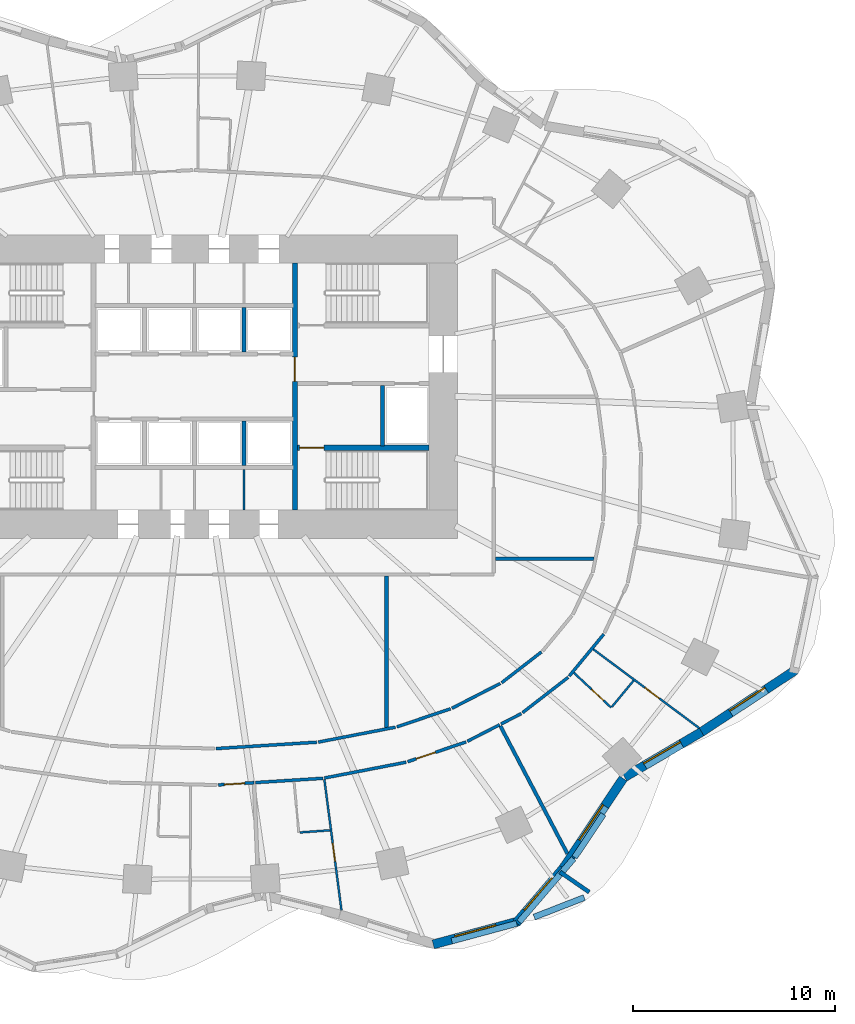
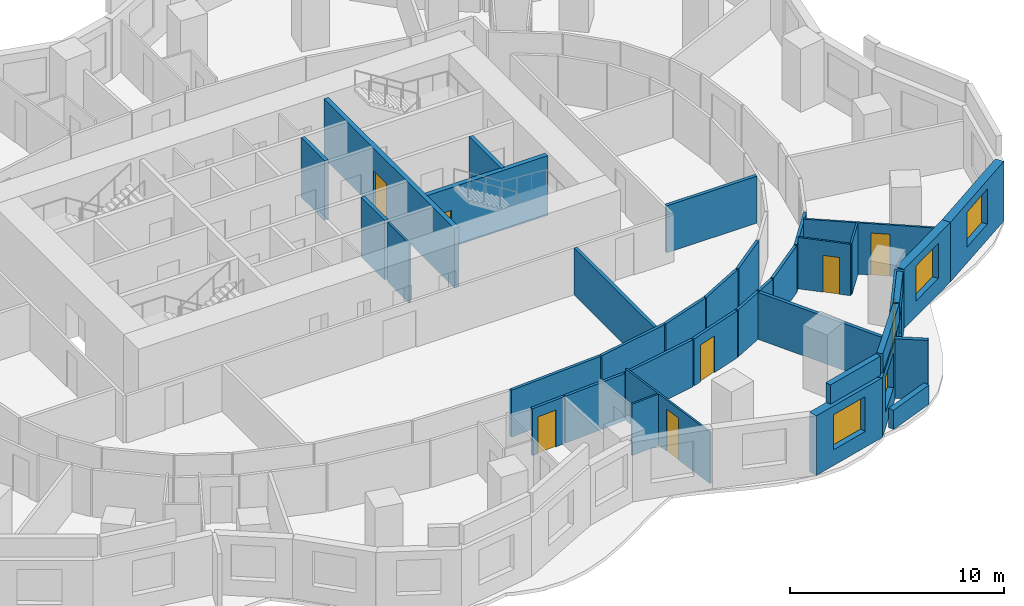
# One storey, part 6 of 11: 37 walls, 7 doors, 5 windows, 12 openings.
"""IFC4 building model written with IfcOpenShell, lengths in metres."""

from ifc_helpers import new_model, si_unit, direction, frame, frame_2d, origin, place, context, subcontext, project, spatial, rectangle, extrude, material, layer, layer_set, type_object, element, fill, save


model = new_model("IFC4")

# Units and contexts
model_context = context("Model", 3, precision=1e-05, world=origin(), true_north=direction((0.0, 1.0)))
body_context = subcontext(model_context, "Body", "Model", "MODEL_VIEW")
ifc_project = project(units=[si_unit("LENGTHUNIT", "METRE"), si_unit("AREAUNIT", "SQUARE_METRE"), si_unit("VOLUMEUNIT", "CUBIC_METRE"), si_unit("PLANEANGLEUNIT", "RADIAN"), si_unit("MASSUNIT", "GRAM", prefix="KILO")], contexts=[model_context])

# Site, building, storey
site_placement = place(None, origin())
site = spatial("IfcSite", under=ifc_project, at=site_placement, CompositionType="ELEMENT")
building_placement = place(site_placement, origin())
building = spatial("IfcBuilding", under=site, at=building_placement, Name="Rubra Terraces Tower", CompositionType="ELEMENT")
storey_placement = place(building_placement, frame((0.0, 0.0, 48.300048828125)))
storey = spatial("IfcBuildingStorey", under=building, at=storey_placement, Name="L09", CompositionType="ELEMENT", Elevation=48.300048828125)

# Walls
ifc_material_1 = material(Name="Twin plasterboard on staggered steel stud, acoustic mineral wool", Category="steel")
ifc_layer_1 = layer(ifc_material_1, 0.175048828125)
ifc_layer_set_1 = layer_set([ifc_layer_1], Name="Twin plasterboard on staggered steel stud, acoustic mineral wool")
wall_type_1 = type_object("IfcWallType", Name="ACOUSTIC PARTY WALL 175", PredefinedType="PARTITIONING", material=ifc_layer_set_1)
wall_1_placement = place(storey_placement, frame((18.438720703125, -18.585693359375, 0.0), z_axis=(0.0, 0.0, 1.0), x_axis=(-0.464812403085, 0.885409187855, 0.0)))
element("IfcWall", 1, at=wall_1_placement, inside=storey, type_object=wall_type_1, Name="PARTITION", PredefinedType="PARTITIONING", context=body_context, shape_type="SweptSolid", body=[
    extrude(rectangle(XDim=7.122802734375, YDim=0.175048828125, at=frame_2d((3.5615234375, 0.0))), origin(), (0.0, 0.0, 1.0), 2.679931640625),
])
wall_2_placement = place(storey_placement, frame((9.5, -12.345458984375, 0.0), z_axis=(0.0, 0.0, 1.0), x_axis=(0.0, 1.0, 0.0)))
element("IfcWall", 2, at=wall_2_placement, inside=storey, type_object=wall_type_1, Name="PARTITION", PredefinedType="PARTITIONING", context=body_context, shape_type="SweptSolid", body=[
    extrude(rectangle(XDim=7.470458984375, YDim=0.175048828125, at=frame_2d((3.7353515625, 0.0))), origin(), (0.0, 0.0, 1.0), 2.679931640625),
])
wall_3_placement = place(storey_placement, frame((14.875, -4.0, 0.0), z_axis=(0.0, 0.0, 1.0), x_axis=(1.0, 0.0, 0.0)))
element("IfcWall", 3, at=wall_3_placement, inside=storey, type_object=wall_type_1, Name="PARTITION", PredefinedType="PARTITIONING", context=body_context, shape_type="SweptSolid", body=[
    extrude(rectangle(XDim=4.879150390625, YDim=0.175048828125, at=frame_2d((2.439453125, 0.0))), origin(), (0.0, 0.0, 1.0), 2.679931640625),
])
ifc_material_2 = material(Name="Brick masonry red-brown", Category="masonry")
ifc_layer_2 = layer(ifc_material_2, 0.300048828125)
ifc_layer_set_2 = layer_set([ifc_layer_2], Name="Brick masonry red-brown")
wall_type_2 = type_object("IfcWallType", Name="Brick edge guard 300", PredefinedType="PARAPET", material=ifc_layer_set_2)
wall_4_placement = place(storey_placement, frame((19.270751953125, -20.75537109375, 0.0), z_axis=(0.0, 0.0, 1.0), x_axis=(-0.931465141624, -0.36383057862, 0.0)))
element("IfcWall", 4, at=wall_4_placement, inside=storey, type_object=wall_type_2, Name="Edge guard L09.1", PredefinedType="PARAPET", context=body_context, shape_type="SweptSolid", body=[
    extrude(rectangle(XDim=2.654541015625, YDim=0.300048828125, at=frame_2d((1.3271484375, 0.0))), origin(), (0.0, 0.0, 1.0), 1.099853515625),
])

# Wall, opening, window
ifc_layer_3 = layer(ifc_material_2, 0.449951171875)
ifc_layer_set_3 = layer_set([ifc_layer_3], Name="Brick masonry red-brown")
wall_type_3 = type_object("IfcWallType", Name="Brick facade wall 450", PredefinedType="SOLIDWALL", material=ifc_layer_set_3)
wall_5_placement = place(storey_placement, frame((11.807373046875, -23.07080078125, 0.0), z_axis=(0.0, 0.0, 1.0), x_axis=(0.965334520334, 0.261015830653, 0.0)))
wall_5 = element("IfcWall", 5, at=wall_5_placement, inside=storey, type_object=wall_type_3, Name="Facade wall L09 bay 34", PredefinedType="SOLIDWALL", context=body_context, shape_type="SweptSolid", body=[
    extrude(rectangle(XDim=4.37548828125, YDim=0.449951171875, at=frame_2d((2.187744140625, 0.0))), origin(), (0.0, 0.0, 1.0), 3.39990234375),
])
opening_1_placement = place(wall_5_placement, frame((1.1376953125, 0.0, 0.89990234375)))
opening_1 = element("IfcOpeningElement", 6, at=opening_1_placement, cuts=wall_5, Name="Opening W1", PredefinedType="OPENING", context=body_context, shape_type="SweptSolid", body=[
    extrude(rectangle(XDim=2.10009765625, YDim=2.0, at=frame_2d((1.050048828125, 1.0))), frame((0.0, 0.23486328125, 0.0), z_axis=(0.0, -1.0, 0.0), x_axis=(1.0, 0.0, 0.0)), (0.0, 0.0, 1.0), 0.469970703125),
])
ifc_material_3 = material(Name="Clear glass in aluminium frame", Category="aluminium")
window_type = type_object("IfcWindowType", Name="Fixed deep-set window 2100 x 2000", PartitioningType="SINGLE_PANEL", PredefinedType="WINDOW", material=ifc_material_3)
window_1_placement = place(opening_1_placement, origin())
window_1 = element("IfcWindow", 7, at=window_1_placement, inside=storey, type_object=window_type, Name="Window L09 bay 34", OverallHeight=2.0, OverallWidth=2.10009765625, PartitioningType="SINGLE_PANEL", PredefinedType="WINDOW", context=body_context, shape_type="SweptSolid", body=[
    extrude(rectangle(XDim=2.10009765625, YDim=2.0, at=frame_2d((1.050048828125, 1.0))), frame((0.0, 0.135009765625, 0.0), z_axis=(0.0, -1.0, 0.0), x_axis=(1.0, 0.0, 0.0)), (0.0, 0.0, 1.0), 0.06005859375),
])
fill(opening_1, window_1)

wall_6_placement = place(storey_placement, frame((15.91943359375, -21.999267578125, 0.0), z_axis=(0.0, 0.0, 1.0), x_axis=(0.652009971272, 0.758210391225, 0.0)))
wall_6 = element("IfcWall", 8, at=wall_6_placement, inside=storey, type_object=wall_type_3, Name="Facade wall L09 bay 35", PredefinedType="SOLIDWALL", context=body_context, shape_type="SweptSolid", body=[
    extrude(rectangle(XDim=3.544921875, YDim=0.449951171875, at=frame_2d((1.7724609375, 0.0))), origin(), (0.0, 0.0, 1.0), 3.39990234375),
])
opening_2_placement = place(wall_6_placement, frame((0.722412109375, 0.0, 0.89990234375)))
opening_2 = element("IfcOpeningElement", 9, at=opening_2_placement, cuts=wall_6, Name="Opening W1", PredefinedType="OPENING", context=body_context, shape_type="SweptSolid", body=[
    extrude(rectangle(XDim=2.10009765625, YDim=2.0, at=frame_2d((1.050048828125, 1.0))), frame((0.0, 0.23486328125, 0.0), z_axis=(0.0, -1.0, 0.0), x_axis=(1.0, 0.0, 0.0)), (0.0, 0.0, 1.0), 0.469970703125),
])
window_2_placement = place(opening_2_placement, origin())
window_2 = element("IfcWindow", 10, at=window_2_placement, inside=storey, type_object=window_type, Name="Window L09 bay 35", OverallHeight=2.0, OverallWidth=2.10009765625, PartitioningType="SINGLE_PANEL", PredefinedType="WINDOW", context=body_context, shape_type="SweptSolid", body=[
    extrude(rectangle(XDim=2.10009765625, YDim=2.0, at=frame_2d((1.050048828125, 1.0))), frame((0.0, 0.135009765625, 0.0), z_axis=(0.0, -1.0, 0.0), x_axis=(1.0, 0.0, 0.0)), (0.0, 0.0, 1.0), 0.06005859375),
])
fill(opening_2, window_2)

wall_7_placement = place(storey_placement, frame((18.21435546875, -19.333251953125, 0.0), z_axis=(0.0, 0.0, 1.0), x_axis=(0.555833135316, 0.831293886471, 0.0)))
wall_7 = element("IfcWall", 11, at=wall_7_placement, inside=storey, type_object=wall_type_3, Name="Facade wall L09 bay 36", PredefinedType="SOLIDWALL", context=body_context, shape_type="SweptSolid", body=[
    extrude(rectangle(XDim=5.368408203125, YDim=0.449951171875, at=frame_2d((2.68408203125, 0.0))), origin(), (0.0, 0.0, 1.0), 3.39990234375),
])
opening_3_placement = place(wall_7_placement, frame((1.63427734375, 0.0, 0.89990234375)))
opening_3 = element("IfcOpeningElement", 12, at=opening_3_placement, cuts=wall_7, Name="Opening W1", PredefinedType="OPENING", context=body_context, shape_type="SweptSolid", body=[
    extrude(rectangle(XDim=2.10009765625, YDim=2.0, at=frame_2d((1.050048828125, 1.0))), frame((0.0, 0.23486328125, 0.0), z_axis=(0.0, -1.0, 0.0), x_axis=(1.0, 0.0, 0.0)), (0.0, 0.0, 1.0), 0.469970703125),
])
window_3_placement = place(opening_3_placement, origin())
window_3 = element("IfcWindow", 13, at=window_3_placement, inside=storey, type_object=window_type, Name="Window L09 bay 36", OverallHeight=2.0, OverallWidth=2.10009765625, PartitioningType="SINGLE_PANEL", PredefinedType="WINDOW", context=body_context, shape_type="SweptSolid", body=[
    extrude(rectangle(XDim=2.10009765625, YDim=2.0, at=frame_2d((1.050048828125, 1.0))), frame((0.0, 0.135009765625, 0.0), z_axis=(0.0, -1.0, 0.0), x_axis=(1.0, 0.0, 0.0)), (0.0, 0.0, 1.0), 0.06005859375),
])
fill(opening_3, window_3)

wall_8_placement = place(storey_placement, frame((21.265625, -14.805419921875, 0.0), z_axis=(0.0, 0.0, 1.0), x_axis=(0.861975457737, 0.506950007653, 0.0)))
wall_8 = element("IfcWall", 14, at=wall_8_placement, inside=storey, type_object=wall_type_3, Name="Facade wall L09 bay 37", PredefinedType="SOLIDWALL", context=body_context, shape_type="SweptSolid", body=[
    extrude(rectangle(XDim=4.412841796875, YDim=0.449951171875, at=frame_2d((2.20654296875, 0.0))), origin(), (0.0, 0.0, 1.0), 3.39990234375),
])
opening_4_placement = place(wall_8_placement, frame((1.156494140625, 0.0, 0.89990234375)))
opening_4 = element("IfcOpeningElement", 15, at=opening_4_placement, cuts=wall_8, Name="Opening W1", PredefinedType="OPENING", context=body_context, shape_type="SweptSolid", body=[
    extrude(rectangle(XDim=2.10009765625, YDim=2.0, at=frame_2d((1.050048828125, 1.0))), frame((0.0, 0.23486328125, 0.0), z_axis=(0.0, -1.0, 0.0), x_axis=(1.0, 0.0, 0.0)), (0.0, 0.0, 1.0), 0.469970703125),
])
window_4_placement = place(opening_4_placement, origin())
window_4 = element("IfcWindow", 16, at=window_4_placement, inside=storey, type_object=window_type, Name="Window L09 bay 37", OverallHeight=2.0, OverallWidth=2.10009765625, PartitioningType="SINGLE_PANEL", PredefinedType="WINDOW", context=body_context, shape_type="SweptSolid", body=[
    extrude(rectangle(XDim=2.10009765625, YDim=2.0, at=frame_2d((1.050048828125, 1.0))), frame((0.0, 0.135009765625, 0.0), z_axis=(0.0, -1.0, 0.0), x_axis=(1.0, 0.0, 0.0)), (0.0, 0.0, 1.0), 0.06005859375),
])
fill(opening_4, window_4)

wall_9_placement = place(storey_placement, frame((25.06103515625, -12.573974609375, 0.0), z_axis=(0.0, 0.0, 1.0), x_axis=(0.83520622102, 0.549936876714, 0.0)))
wall_9 = element("IfcWall", 17, at=wall_9_placement, inside=storey, type_object=wall_type_3, Name="Facade wall L09 bay 38", PredefinedType="SOLIDWALL", context=body_context, shape_type="SweptSolid", body=[
    extrude(rectangle(XDim=5.56982421875, YDim=0.449951171875, at=frame_2d((2.784912109375, 0.0))), origin(), (0.0, 0.0, 1.0), 3.39990234375),
])
opening_5_placement = place(wall_9_placement, frame((1.73486328125, 0.0, 0.89990234375)))
opening_5 = element("IfcOpeningElement", 18, at=opening_5_placement, cuts=wall_9, Name="Opening W1", PredefinedType="OPENING", context=body_context, shape_type="SweptSolid", body=[
    extrude(rectangle(XDim=2.10009765625, YDim=2.0, at=frame_2d((1.050048828125, 1.0))), frame((0.0, 0.23486328125, 0.0), z_axis=(0.0, -1.0, 0.0), x_axis=(1.0, 0.0, 0.0)), (0.0, 0.0, 1.0), 0.469970703125),
])
window_5_placement = place(opening_5_placement, origin())
window_5 = element("IfcWindow", 19, at=window_5_placement, inside=storey, type_object=window_type, Name="Window L09 bay 38", OverallHeight=2.0, OverallWidth=2.10009765625, PartitioningType="SINGLE_PANEL", PredefinedType="WINDOW", context=body_context, shape_type="SweptSolid", body=[
    extrude(rectangle(XDim=2.10009765625, YDim=2.0, at=frame_2d((1.050048828125, 1.0))), frame((0.0, 0.135009765625, 0.0), z_axis=(0.0, -1.0, 0.0), x_axis=(1.0, 0.0, 0.0)), (0.0, 0.0, 1.0), 0.06005859375),
])
fill(opening_5, window_5)

# Walls
ifc_layer_4 = layer(ifc_material_2, 0.300048828125)
ifc_layer_set_4 = layer_set([ifc_layer_4], Name="Brick masonry red-brown")
wall_type_4 = type_object("IfcWallType", Name="Brick parapet 300", PredefinedType="PARAPET", material=ifc_layer_set_4)
wall_10_placement = place(storey_placement, frame((12.722412109375, -22.901123046875, 3.599853515625), z_axis=(0.0, 0.0, 1.0), x_axis=(0.96534590031, 0.260973739589, 0.0)))
element("IfcWall", 20, at=wall_10_placement, inside=storey, type_object=wall_type_4, Name="Parapet L09 bay 34", PredefinedType="PARAPET", context=body_context, shape_type="SweptSolid", body=[
    extrude(rectangle(XDim=3.32568359375, YDim=0.300048828125, at=frame_2d((1.662841796875, 0.0))), origin(), (0.0, 0.0, 1.0), 1.10009765625),
])
wall_11_placement = place(storey_placement, frame((16.055908203125, -21.95556640625, 3.599853515625), z_axis=(0.0, 0.0, 1.0), x_axis=(0.652038588201, 0.75818578165, 0.0)))
element("IfcWall", 21, at=wall_11_placement, inside=storey, type_object=wall_type_4, Name="Parapet L09 bay 35", PredefinedType="PARAPET", context=body_context, shape_type="SweptSolid", body=[
    extrude(rectangle(XDim=4.1240234375, YDim=0.300048828125, at=frame_2d((2.06201171875, 0.0))), origin(), (0.0, 0.0, 1.0), 1.10009765625),
])
wall_12_placement = place(storey_placement, frame((18.7919921875, -18.7666015625, 3.599853515625), z_axis=(0.0, 0.0, 1.0), x_axis=(0.555843382853, 0.831287034507, 0.0)))
element("IfcWall", 22, at=wall_12_placement, inside=storey, type_object=wall_type_4, Name="Parapet L09 bay 36", PredefinedType="PARAPET", context=body_context, shape_type="SweptSolid", body=[
    extrude(rectangle(XDim=2.5615234375, YDim=0.300048828125, at=frame_2d((1.28076171875, 0.0))), origin(), (0.0, 0.0, 1.0), 1.10009765625),
])
ifc_layer_5 = layer(ifc_material_2, 0.199951171875)
ifc_layer_set_5 = layer_set([ifc_layer_5], Name="Brick masonry red-brown")
wall_type_5 = type_object("IfcWallType", Name="Brick wind fin 200", PredefinedType="SOLIDWALL", material=ifc_layer_set_5)
wall_13_placement = place(storey_placement, frame((18.075927734375, -19.491943359375, 0.0), z_axis=(0.0, 0.0, 1.0), x_axis=(0.822618823872, -0.568593238274, 0.0)))
element("IfcWall", 23, at=wall_13_placement, inside=storey, type_object=wall_type_5, Name="Wind fin L09 21", PredefinedType="SOLIDWALL", context=body_context, shape_type="SweptSolid", body=[
    extrude(rectangle(XDim=1.750244140625, YDim=0.199951171875, at=frame_2d((0.875, 0.0))), origin(), (0.0, 0.0, 1.0), 3.39990234375),
])

# Wall, opening, door
ifc_material_4 = material(Name="Plasterboard on steel stud, mineral wool infill", Category="steel")
ifc_layer_6 = layer(ifc_material_4, 0.14990234375)
ifc_layer_set_6 = layer_set([ifc_layer_6], Name="Plasterboard on steel stud, mineral wool infill")
wall_type_6 = type_object("IfcWallType", Name="CORRIDOR PARTITION 150", PredefinedType="PARTITIONING", material=ifc_layer_set_6)
wall_14_placement = place(storey_placement, frame((1.185791015625, -15.189697265625, 0.0), z_axis=(0.0, 0.0, 1.0), x_axis=(0.997996397867, 0.063270766108, 0.0)))
wall_14 = element("IfcWall", 24, at=wall_14_placement, inside=storey, type_object=wall_type_6, Name="PARTITION", PredefinedType="PARTITIONING", context=body_context, shape_type="SweptSolid", body=[
    extrude(rectangle(XDim=1.771240234375, YDim=0.14990234375, at=frame_2d((0.8857421875, 0.0))), origin(), (0.0, 0.0, 1.0), 2.679931640625),
])
opening_6_placement = place(wall_14_placement, frame((0.300048828125, 0.0, 0.0)))
opening_6 = element("IfcOpeningElement", 25, at=opening_6_placement, cuts=wall_14, Name="Opening 09-119", PredefinedType="OPENING", context=body_context, shape_type="SweptSolid", body=[
    extrude(rectangle(XDim=1.0, YDim=2.10009765625, at=frame_2d((0.5, 1.050048828125))), frame((0.0, 0.0849609375, 0.0), z_axis=(0.0, -1.0, 0.0), x_axis=(1.0, 0.0, 0.0)), (0.0, 0.0, 1.0), 0.169921875),
])
ifc_material_5 = material(Name="Painted timber door leaf", Category="wood")
door_type_1 = type_object("IfcDoorType", Name="ROOM DOOR 1000 X 2100", OperationType="SINGLE_SWING_LEFT", PredefinedType="DOOR", material=ifc_material_5)
door_1_placement = place(opening_6_placement, origin())
door_1 = element("IfcDoor", 26, at=door_1_placement, inside=storey, type_object=door_type_1, Name="DOOR 09-119", OperationType="SINGLE_SWING_RIGHT", OverallHeight=2.10009765625, OverallWidth=1.0, PredefinedType="DOOR", context=body_context, shape_type="SweptSolid", body=[
    extrude(rectangle(XDim=1.0, YDim=2.10009765625, at=frame_2d((0.5, 1.050048828125))), frame((0.0, 0.02490234375, 0.0), z_axis=(0.0, -1.0, 0.0), x_axis=(1.0, 0.0, 0.0)), (0.0, 0.0, 1.0), 0.050048828125),
])
fill(opening_6, door_1)

# Walls
wall_15_placement = place(storey_placement, frame((3.0283203125, -15.072998046875, 0.0), z_axis=(0.0, 0.0, 1.0), x_axis=(0.997992583289, 0.063330906356, 0.0)))
element("IfcWall", 27, at=wall_15_placement, inside=storey, type_object=wall_type_6, Name="PARTITION", PredefinedType="PARTITIONING", context=body_context, shape_type="SweptSolid", body=[
    extrude(rectangle(XDim=3.33447265625, YDim=0.14990234375, at=frame_2d((1.667236328125, 0.0))), origin(), (0.0, 0.0, 1.0), 2.679931640625),
])
wall_16_placement = place(storey_placement, frame((6.429931640625, -14.84765625, 0.0), z_axis=(0.0, 0.0, 1.0), x_axis=(0.981801609996, 0.189909448446, 0.0)))
element("IfcWall", 28, at=wall_16_placement, inside=storey, type_object=wall_type_6, Name="PARTITION", PredefinedType="PARTITIONING", context=body_context, shape_type="SweptSolid", body=[
    extrude(rectangle(XDim=4.11767578125, YDim=0.14990234375, at=frame_2d((2.058837890625, 0.0))), origin(), (0.0, 0.0, 1.0), 2.679931640625),
])

# Wall, opening, door
wall_17_placement = place(storey_placement, frame((10.543701171875, -14.041748046875, 0.0), z_axis=(0.0, 0.0, 1.0), x_axis=(0.947314242069, 0.320305677085, 0.0)))
wall_17 = element("IfcWall", 29, at=wall_17_placement, inside=storey, type_object=wall_type_6, Name="PARTITION", PredefinedType="PARTITIONING", context=body_context, shape_type="SweptSolid", body=[
    extrude(rectangle(XDim=3.051025390625, YDim=0.14990234375, at=frame_2d((1.525390625, 0.0))), origin(), (0.0, 0.0, 1.0), 2.679931640625),
])
opening_7_placement = place(wall_17_placement, frame((0.449951171875, 0.0, 0.0)))
opening_7 = element("IfcOpeningElement", 30, at=opening_7_placement, cuts=wall_17, Name="Opening 09-122", PredefinedType="OPENING", context=body_context, shape_type="SweptSolid", body=[
    extrude(rectangle(XDim=1.0, YDim=2.10009765625, at=frame_2d((0.5, 1.050048828125))), frame((0.0, 0.0849609375, 0.0), z_axis=(0.0, -1.0, 0.0), x_axis=(1.0, 0.0, 0.0)), (0.0, 0.0, 1.0), 0.169921875),
])
door_2_placement = place(opening_7_placement, origin())
door_2 = element("IfcDoor", 31, at=door_2_placement, inside=storey, type_object=door_type_1, Name="DOOR 09-122", OperationType="SINGLE_SWING_RIGHT", OverallHeight=2.10009765625, OverallWidth=1.0, PredefinedType="DOOR", context=body_context, shape_type="SweptSolid", body=[
    extrude(rectangle(XDim=1.0, YDim=2.10009765625, at=frame_2d((0.5, 1.050048828125))), frame((0.0, 0.02490234375, 0.0), z_axis=(0.0, -1.0, 0.0), x_axis=(1.0, 0.0, 0.0)), (0.0, 0.0, 1.0), 0.050048828125),
])
fill(opening_7, door_2)

# Walls
wall_18_placement = place(storey_placement, frame((13.5009765625, -13.030029296875, 0.0), z_axis=(0.0, 0.0, 1.0), x_axis=(0.88960147572, 0.456737577168, 0.0)))
element("IfcWall", 32, at=wall_18_placement, inside=storey, type_object=wall_type_6, Name="PARTITION", PredefinedType="PARTITIONING", context=body_context, shape_type="SweptSolid", body=[
    extrude(rectangle(XDim=1.78955078125, YDim=0.14990234375, at=frame_2d((0.894775390625, 0.0))), origin(), (0.0, 0.0, 1.0), 2.679931640625),
])
wall_19_placement = place(storey_placement, frame((15.159912109375, -12.17822265625, 0.0), z_axis=(0.0, 0.0, 1.0), x_axis=(0.889562255844, 0.456813958826, 0.0)))
element("IfcWall", 33, at=wall_19_placement, inside=storey, type_object=wall_type_6, Name="PARTITION", PredefinedType="PARTITIONING", context=body_context, shape_type="SweptSolid", body=[
    extrude(rectangle(XDim=1.1259765625, YDim=0.14990234375, at=frame_2d((0.56298828125, 0.0))), origin(), (0.0, 0.0, 1.0), 2.679931640625),
])
wall_20_placement = place(storey_placement, frame((16.220947265625, -11.617919921875, 0.0), z_axis=(0.0, 0.0, 1.0), x_axis=(0.79075977513, 0.612126602948, 0.0)))
element("IfcWall", 34, at=wall_20_placement, inside=storey, type_object=wall_type_6, Name="PARTITION", PredefinedType="PARTITIONING", context=body_context, shape_type="SweptSolid", body=[
    extrude(rectangle(XDim=2.853759765625, YDim=0.14990234375, at=frame_2d((1.4267578125, 0.0))), origin(), (0.0, 0.0, 1.0), 2.679931640625),
])
wall_21_placement = place(storey_placement, frame((18.525146484375, -9.813232421875, 0.0), z_axis=(0.0, 0.0, 1.0), x_axis=(0.636590727548, 0.771201818981, 0.0)))
element("IfcWall", 35, at=wall_21_placement, inside=storey, type_object=wall_type_6, Name="PARTITION", PredefinedType="PARTITIONING", context=body_context, shape_type="SweptSolid", body=[
    extrude(rectangle(XDim=2.69140625, YDim=0.14990234375, at=frame_2d((1.345703125, 0.0))), origin(), (0.0, 0.0, 1.0), 2.679931640625),
])
wall_22_placement = place(storey_placement, frame((17.15771484375, -8.616455078125, 0.0), z_axis=(0.0, 0.0, 1.0), x_axis=(-0.790740570998, -0.612151410501, 0.0)))
element("IfcWall", 36, at=wall_22_placement, inside=storey, type_object=wall_type_6, Name="PARTITION", PredefinedType="PARTITIONING", context=body_context, shape_type="SweptSolid", body=[
    extrude(rectangle(XDim=2.486572265625, YDim=0.14990234375, at=frame_2d((1.2431640625, 0.0))), origin(), (0.0, 0.0, 1.0), 2.679931640625),
])
wall_23_placement = place(storey_placement, frame((15.124755859375, -10.1728515625, 0.0), z_axis=(0.0, 0.0, 1.0), x_axis=(-0.889567018144, -0.456804684993, 0.0)))
element("IfcWall", 37, at=wall_23_placement, inside=storey, type_object=wall_type_6, Name="PARTITION", PredefinedType="PARTITIONING", context=body_context, shape_type="SweptSolid", body=[
    extrude(rectangle(XDim=2.69091796875, YDim=0.14990234375, at=frame_2d((1.345458984375, 0.0))), origin(), (0.0, 0.0, 1.0), 2.679931640625),
])
wall_24_placement = place(storey_placement, frame((12.659912109375, -11.426025390625, 0.0), z_axis=(0.0, 0.0, 1.0), x_axis=(-0.94731220982, -0.320311687465, 0.0)))
element("IfcWall", 38, at=wall_24_placement, inside=storey, type_object=wall_type_6, Name="PARTITION", PredefinedType="PARTITIONING", context=body_context, shape_type="SweptSolid", body=[
    extrude(rectangle(XDim=2.795654296875, YDim=0.14990234375, at=frame_2d((1.39794921875, 0.0))), origin(), (0.0, 0.0, 1.0), 2.679931640625),
])
wall_25_placement = place(storey_placement, frame((9.937744140625, -12.335693359375, 0.0), z_axis=(0.0, 0.0, 1.0), x_axis=(-0.981799909949, -0.18991823721, 0.0)))
element("IfcWall", 39, at=wall_25_placement, inside=storey, type_object=wall_type_6, Name="PARTITION", PredefinedType="PARTITIONING", context=body_context, shape_type="SweptSolid", body=[
    extrude(rectangle(XDim=3.880859375, YDim=0.14990234375, at=frame_2d((1.9404296875, 0.0))), origin(), (0.0, 0.0, 1.0), 2.679931640625),
])
wall_26_placement = place(storey_placement, frame((6.052734375, -13.077392578125, 0.0), z_axis=(0.0, 0.0, 1.0), x_axis=(-0.997994823425, -0.06329559556, 0.0)))
element("IfcWall", 40, at=wall_26_placement, inside=storey, type_object=wall_type_6, Name="PARTITION", PredefinedType="PARTITIONING", context=body_context, shape_type="SweptSolid", body=[
    extrude(rectangle(XDim=4.9873046875, YDim=0.14990234375, at=frame_2d((2.49365234375, 0.0))), origin(), (0.0, 0.0, 1.0), 2.679931640625),
])
ifc_material_6 = material(Name="Concrete C30", Category="concrete")
ifc_layer_7 = layer(ifc_material_6, 0.199951171875)
ifc_layer_set_7 = layer_set([ifc_layer_7], Name="Concrete C30")
wall_type_7 = type_object("IfcWallType", Name="Core wall 200 concrete", PredefinedType="SOLIDWALL", material=ifc_layer_set_7)
wall_27_placement = place(storey_placement, frame((9.300048828125, 4.550048828125, 0.0), z_axis=(0.0, 0.0, 1.0), x_axis=(0.0, -1.0, 0.0)))
element("IfcWall", 41, at=wall_27_placement, inside=storey, type_object=wall_type_7, Name="STAIR WALL L09", PredefinedType="SOLIDWALL", context=body_context, shape_type="SweptSolid", body=[
    extrude(rectangle(XDim=3.0, YDim=0.199951171875, at=frame_2d((1.5, 0.0))), origin(), (0.0, 0.0, 1.0), 3.39990234375),
])
for number, where, z_axis, x_axis, name in (
    (42, (2.449951171875, 0.60009765625, 0.0), (0.0, 0.0, 1.0), (0.0, 1.0, 0.0), "LIFT SHAFT WALL L09"),
    (43, (2.449951171875, 6.199951171875, 0.0), (0.0, 0.0, 1.0), (0.0, 1.0, 0.0), "LIFT SHAFT WALL L09"),
):
    element("IfcWall", number, at=place(storey_placement, frame(where, z_axis=z_axis, x_axis=x_axis)), inside=storey, type_object=wall_type_7, Name=name, PredefinedType="SOLIDWALL", context=body_context, shape_type="SweptSolid", body=[
        extrude(rectangle(XDim=2.199951171875, YDim=0.199951171875, at=frame_2d((1.10009765625, 0.0))), origin(), (0.0, 0.0, 1.0), 3.39990234375),
    ])

# Wall, opening, door
ifc_material_7 = material(Name="Plasterboard on steel stud", Category="steel")
ifc_layer_8 = layer(ifc_material_7, 0.10009765625)
ifc_layer_set_8 = layer_set([ifc_layer_8], Name="Plasterboard on steel stud")
wall_type_8 = type_object("IfcWallType", Name="ROOM PARTITION 100", PredefinedType="PARTITIONING", material=ifc_layer_set_8)
wall_28_placement = place(storey_placement, frame((7.27294921875, -21.381103515625, 0.0), z_axis=(0.0, 0.0, 1.0), x_axis=(-0.129491443272, 0.991580539401, 0.0)))
wall_28 = element("IfcWall", 44, at=wall_28_placement, inside=storey, type_object=wall_type_8, Name="PARTITION", PredefinedType="PARTITIONING", context=body_context, shape_type="SweptSolid", body=[
    extrude(rectangle(XDim=6.51220703125, YDim=0.10009765625, at=frame_2d((3.256103515625, 0.0))), origin(), (0.0, 0.0, 1.0), 2.933837890625),
])
opening_8_placement = place(wall_28_placement, frame((2.43701171875, 0.0, 0.0)))
opening_8 = element("IfcOpeningElement", 45, at=opening_8_placement, cuts=wall_28, Name="Opening 09-121", PredefinedType="OPENING", context=body_context, shape_type="SweptSolid", body=[
    extrude(rectangle(XDim=0.89990234375, YDim=2.39990234375, at=frame_2d((0.449951171875, 1.199951171875))), frame((0.0, 0.06005859375, 0.0), z_axis=(0.0, -1.0, 0.0), x_axis=(1.0, 0.0, 0.0)), (0.0, 0.0, 1.0), 0.1201171875),
])
ifc_material_8 = material(Name="Veneered timber door leaf, fire-rated", Category="wood")
door_type_2 = type_object("IfcDoorType", Name="SUITE ENTRANCE DOOR 900 X 2400", OperationType="SINGLE_SWING_LEFT", PredefinedType="DOOR", material=ifc_material_8)
door_3_placement = place(opening_8_placement, origin())
door_3 = element("IfcDoor", 46, at=door_3_placement, inside=storey, type_object=door_type_2, Name="DOOR 09-121", OperationType="SINGLE_SWING_LEFT", OverallHeight=2.39990234375, OverallWidth=0.89990234375, PredefinedType="DOOR", context=body_context, shape_type="SweptSolid", body=[
    extrude(rectangle(XDim=0.89990234375, YDim=2.39990234375, at=frame_2d((0.449951171875, 1.199951171875))), frame((0.0, 0.02490234375, 0.0), z_axis=(0.0, -1.0, 0.0), x_axis=(1.0, 0.0, 0.0)), (0.0, 0.0, 1.0), 0.050048828125),
])
fill(opening_8, door_3)

# Wall
wall_29_placement = place(storey_placement, frame((5.212890625, -17.5380859375, 0.0), z_axis=(0.0, 0.0, 1.0), x_axis=(0.997447931568, 0.071397645698, 0.0)))
element("IfcWall", 47, at=wall_29_placement, inside=storey, type_object=wall_type_8, Name="PARTITION", PredefinedType="PARTITIONING", context=body_context, shape_type="SweptSolid", body=[
    extrude(rectangle(XDim=1.497802734375, YDim=0.10009765625, at=frame_2d((0.7490234375, 0.0))), origin(), (0.0, 0.0, 1.0), 2.933837890625),
])

# Wall, opening, door
wall_30_placement = place(storey_placement, frame((24.9462890625, -12.375, 0.0), z_axis=(0.0, 0.0, 1.0), x_axis=(-0.802211102923, 0.597040489705, 0.0)))
wall_30 = element("IfcWall", 48, at=wall_30_placement, inside=storey, type_object=wall_type_8, Name="PARTITION", PredefinedType="PARTITIONING", context=body_context, shape_type="SweptSolid", body=[
    extrude(rectangle(XDim=6.51611328125, YDim=0.10009765625, at=frame_2d((3.258056640625, 0.0))), origin(), (0.0, 0.0, 1.0), 2.933837890625),
])
opening_9_placement = place(wall_30_placement, frame((2.44091796875, 0.0, 0.0)))
opening_9 = element("IfcOpeningElement", 49, at=opening_9_placement, cuts=wall_30, Name="Opening 09-124", PredefinedType="OPENING", context=body_context, shape_type="SweptSolid", body=[
    extrude(rectangle(XDim=0.89990234375, YDim=2.39990234375, at=frame_2d((0.449951171875, 1.199951171875))), frame((0.0, 0.06005859375, 0.0), z_axis=(0.0, -1.0, 0.0), x_axis=(1.0, 0.0, 0.0)), (0.0, 0.0, 1.0), 0.1201171875),
])
door_4_placement = place(opening_9_placement, origin())
door_4 = element("IfcDoor", 50, at=door_4_placement, inside=storey, type_object=door_type_2, Name="DOOR 09-124", OperationType="SINGLE_SWING_LEFT", OverallHeight=2.39990234375, OverallWidth=0.89990234375, PredefinedType="DOOR", context=body_context, shape_type="SweptSolid", body=[
    extrude(rectangle(XDim=0.89990234375, YDim=2.39990234375, at=frame_2d((0.449951171875, 1.199951171875))), frame((0.0, 0.02490234375, 0.0), z_axis=(0.0, -1.0, 0.0), x_axis=(1.0, 0.0, 0.0)), (0.0, 0.0, 1.0), 0.050048828125),
])
fill(opening_9, door_4)

wall_31_placement = place(storey_placement, frame((18.7587890625, -9.647705078125, 0.0), z_axis=(0.0, 0.0, 1.0), x_axis=(0.731331715945, -0.682021936049, 0.0)))
wall_31 = element("IfcWall", 51, at=wall_31_placement, inside=storey, type_object=wall_type_8, Name="PARTITION", PredefinedType="PARTITIONING", context=body_context, shape_type="SweptSolid", body=[
    extrude(rectangle(XDim=2.525146484375, YDim=0.10009765625, at=frame_2d((1.2626953125, 0.0))), origin(), (0.0, 0.0, 1.0), 2.933837890625),
])
opening_10_placement = place(wall_31_placement, frame((1.199951171875, 0.0, 0.0)))
opening_10 = element("IfcOpeningElement", 52, at=opening_10_placement, cuts=wall_31, Name="Opening 09-123", PredefinedType="OPENING", context=body_context, shape_type="SweptSolid", body=[
    extrude(rectangle(XDim=0.800048828125, YDim=2.10009765625, at=frame_2d((0.39990234375, 1.050048828125))), frame((0.0, 0.06005859375, 0.0), z_axis=(0.0, -1.0, 0.0), x_axis=(1.0, 0.0, 0.0)), (0.0, 0.0, 1.0), 0.1201171875),
])
door_type_3 = type_object("IfcDoorType", Name="BATHROOM DOOR 800 X 2100", OperationType="SINGLE_SWING_LEFT", PredefinedType="DOOR", material=ifc_material_5)
door_5_placement = place(opening_10_placement, origin())
door_5 = element("IfcDoor", 53, at=door_5_placement, inside=storey, type_object=door_type_3, Name="DOOR 09-123", OperationType="SINGLE_SWING_LEFT", OverallHeight=2.10009765625, OverallWidth=0.800048828125, PredefinedType="DOOR", context=body_context, shape_type="SweptSolid", body=[
    extrude(rectangle(XDim=0.800048828125, YDim=2.10009765625, at=frame_2d((0.39990234375, 1.050048828125))), frame((0.0, 0.02490234375, 0.0), z_axis=(0.0, -1.0, 0.0), x_axis=(1.0, 0.0, 0.0)), (0.0, 0.0, 1.0), 0.050048828125),
])
fill(opening_10, door_5)

# Walls
wall_32_placement = place(storey_placement, frame((20.637451171875, -11.331298828125, 0.0), z_axis=(0.0, 0.0, 1.0), x_axis=(0.637105732439, 0.770776417447, 0.0)))
element("IfcWall", 54, at=wall_32_placement, inside=storey, type_object=wall_type_8, Name="PARTITION", PredefinedType="PARTITIONING", context=body_context, shape_type="SweptSolid", body=[
    extrude(rectangle(XDim=1.687744140625, YDim=0.10009765625, at=frame_2d((0.84375, 0.0))), origin(), (0.0, 0.0, 1.0), 2.933837890625),
])
ifc_material_9 = material(Name="Blockwork", Category="masonry")
ifc_layer_9 = layer(ifc_material_9, 0.10009765625)
ifc_layer_set_9 = layer_set([ifc_layer_9], Name="Blockwork")
wall_type_9 = type_object("IfcWallType", Name="Service partition 100 blockwork", PredefinedType="PARTITIONING", material=ifc_layer_set_9)
wall_33_placement = place(storey_placement, frame((2.449951171875, -1.60009765625, 0.0), z_axis=(0.0, 0.0, 1.0), x_axis=(0.0, 1.0, 0.0)))
element("IfcWall", 55, at=wall_33_placement, inside=storey, type_object=wall_type_9, Name="SERVICE ROOM PARTITION L09", PredefinedType="PARTITIONING", context=body_context, shape_type="SweptSolid", body=[
    extrude(rectangle(XDim=2.0, YDim=0.10009765625, at=frame_2d((1.0, 0.0))), origin(), (0.0, 0.0, 1.0), 3.39990234375),
])

# Wall, opening, door
ifc_material_10 = material(Name="Concrete C40", Category="concrete")
ifc_layer_10 = layer(ifc_material_10, 0.25)
ifc_layer_set_10 = layer_set([ifc_layer_10], Name="Concrete C40")
wall_type_10 = type_object("IfcWallType", Name="Stair enclosure wall 250 concrete", PredefinedType="SOLIDWALL", material=ifc_layer_set_10)
wall_34_placement = place(storey_placement, frame((11.60009765625, 1.47509765625, 0.0), z_axis=(0.0, 0.0, 1.0), x_axis=(-1.0, 0.0, 0.0)))
wall_34 = element("IfcWall", 56, at=wall_34_placement, inside=storey, type_object=wall_type_10, Name="STAIR WALL L09", PredefinedType="SOLIDWALL", context=body_context, shape_type="SweptSolid", body=[
    extrude(rectangle(XDim=6.5, YDim=0.25, at=frame_2d((3.25, 0.0))), origin(), (0.0, 0.0, 1.0), 3.39990234375),
])
opening_11_placement = place(wall_34_placement, frame((5.199951171875, 0.0, 0.0)))
opening_11 = element("IfcOpeningElement", 57, at=opening_11_placement, cuts=wall_34, Name="Opening L09.C10", PredefinedType="OPENING", context=body_context, shape_type="SweptSolid", body=[
    extrude(rectangle(XDim=1.199951171875, YDim=2.10009765625, at=frame_2d((0.60009765625, 1.050048828125))), frame((0.0, 0.135009765625, 0.0), z_axis=(0.0, -1.0, 0.0), x_axis=(1.0, 0.0, 0.0)), (0.0, 0.0, 1.0), 0.27001953125),
])
ifc_material_11 = material(Name="Painted steel", Category="steel")
door_type_4 = type_object("IfcDoorType", Name="Fire door 1200x2100 single", OperationType="NOTDEFINED", PredefinedType="DOOR", material=ifc_material_11)
door_6_placement = place(opening_11_placement, origin())
door_6 = element("IfcDoor", 58, at=door_6_placement, inside=storey, type_object=door_type_4, Name="Stair door S4", OperationType="SINGLE_SWING_RIGHT", OverallHeight=2.10009765625, OverallWidth=1.199951171875, PredefinedType="DOOR", context=body_context, shape_type="SweptSolid", body=[
    extrude(rectangle(XDim=1.199951171875, YDim=2.10009765625, at=frame_2d((0.60009765625, 1.050048828125))), frame((0.0, 0.02490234375, 0.0), z_axis=(0.0, -1.0, 0.0), x_axis=(1.0, 0.0, 0.0)), (0.0, 0.0, 1.0), 0.050048828125),
])
fill(opening_11, door_6)

wall_35_placement = place(storey_placement, frame((4.97509765625, 10.60009765625, 0.0), z_axis=(0.0, 0.0, 1.0), x_axis=(0.0, -1.0, 0.0)))
wall_35 = element("IfcWall", 59, at=wall_35_placement, inside=storey, type_object=wall_type_10, Name="CORE LOBBY WALL L09", PredefinedType="SOLIDWALL", context=body_context, shape_type="SweptSolid", body=[
    extrude(rectangle(XDim=12.2001953125, YDim=0.25, at=frame_2d((6.10009765625, 0.0))), origin(), (0.0, 0.0, 1.0), 3.39990234375),
])
opening_12_placement = place(wall_35_placement, frame((4.64990234375, 0.0, 0.0)))
opening_12 = element("IfcOpeningElement", 60, at=opening_12_placement, cuts=wall_35, Name="Opening L09.C04", PredefinedType="OPENING", context=body_context, shape_type="SweptSolid", body=[
    extrude(rectangle(XDim=1.199951171875, YDim=2.10009765625, at=frame_2d((0.60009765625, 1.050048828125))), frame((0.0, 0.135009765625, 0.0), z_axis=(0.0, -1.0, 0.0), x_axis=(1.0, 0.0, 0.0)), (0.0, 0.0, 1.0), 0.27001953125),
])
door_7_placement = place(opening_12_placement, origin())
door_7 = element("IfcDoor", 61, at=door_7_placement, inside=storey, type_object=door_type_4, Name="Firefighting lobby door FF2", OperationType="SINGLE_SWING_RIGHT", OverallHeight=2.10009765625, OverallWidth=1.199951171875, PredefinedType="DOOR", context=body_context, shape_type="SweptSolid", body=[
    extrude(rectangle(XDim=1.199951171875, YDim=2.10009765625, at=frame_2d((0.60009765625, 1.050048828125))), frame((0.0, 0.02490234375, 0.0), z_axis=(0.0, -1.0, 0.0), x_axis=(1.0, 0.0, 0.0)), (0.0, 0.0, 1.0), 0.050048828125),
])
fill(opening_12, door_7)

save(model, "model.ifc")
